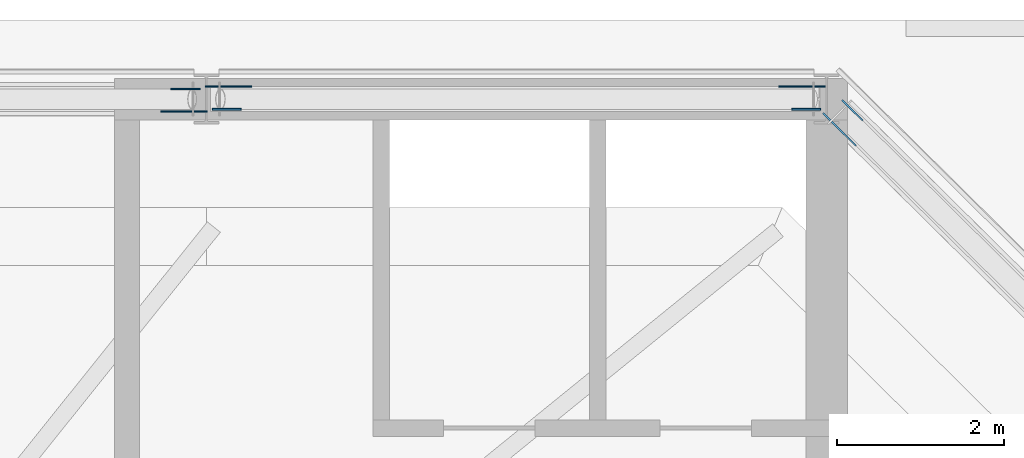
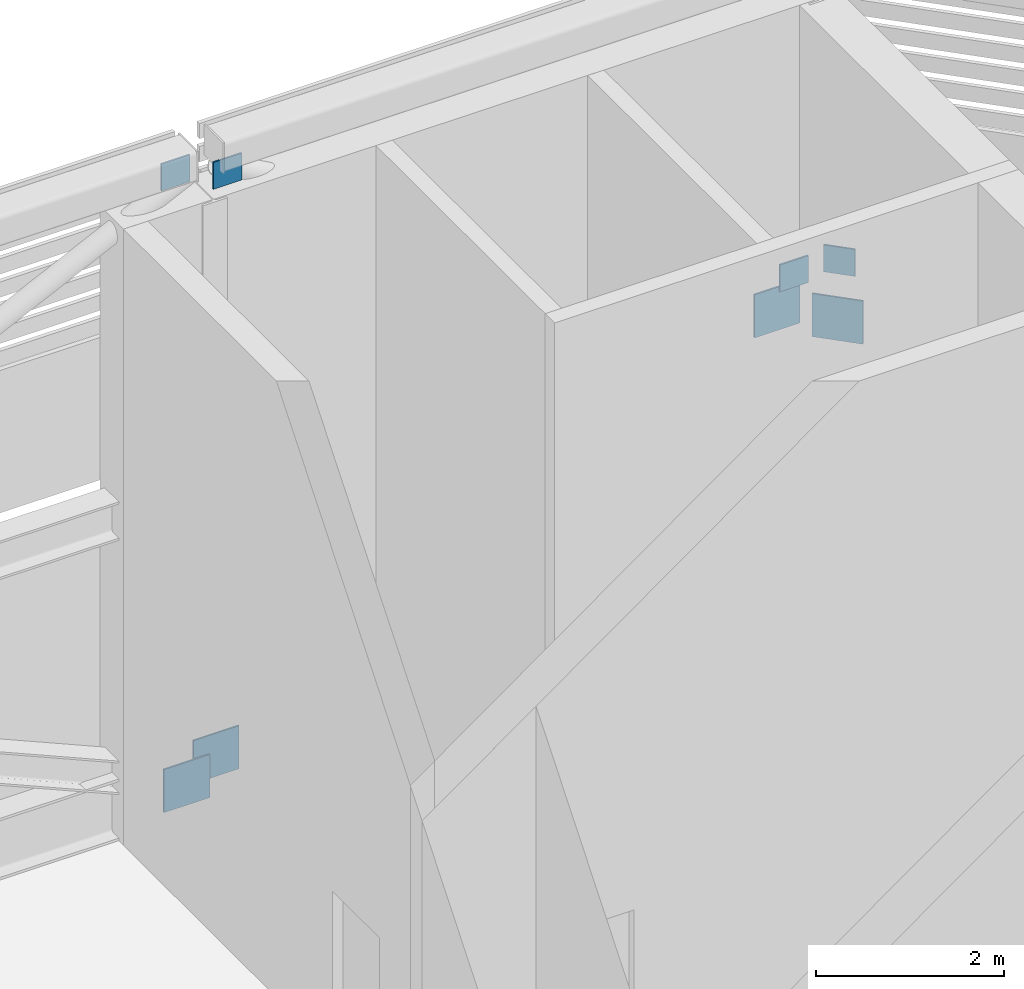
# One storey, part 20 of 22: 8 discrete accessories.
"""IFC4 building model written with IfcOpenShell, lengths in metres."""

from ifc_helpers import new_model, si_unit, direction, frame, origin, origin_2d, place, context, subcontext, project, spatial, rectangle, extrude, element, save


model = new_model("IFC4")

# Units and contexts
model_context = context("Model", 3, precision=1e-05, world=origin(), true_north=direction((0.0, 1.0)))
body_context = subcontext(model_context, "Body", "Model", "MODEL_VIEW")
ifc_project = project(units=[si_unit("LENGTHUNIT", "METRE"), si_unit("AREAUNIT", "SQUARE_METRE"), si_unit("VOLUMEUNIT", "CUBIC_METRE"), si_unit("PLANEANGLEUNIT", "RADIAN"), si_unit("MASSUNIT", "GRAM", prefix="KILO")], contexts=[model_context])

# Site, building, storey
site_placement = place(None, origin())
site = spatial("IfcSite", under=ifc_project, at=site_placement, CompositionType="ELEMENT")
building_placement = place(site_placement, origin())
building = spatial("IfcBuilding", under=site, at=building_placement, Name="Saffron Gate Tower", CompositionType="ELEMENT")
storey_placement = place(building_placement, frame((0.0, 0.0, 314.85009765625)))
storey = spatial("IfcBuildingStorey", under=building, at=storey_placement, Name="Roof crown", CompositionType="ELEMENT", Elevation=314.85009765625)

# Discrete accessories
discrete_accessory_1_placement = place(storey_placement, frame((107.8046875, 74.285888671875, 3.582763671875), z_axis=(0.0, 0.0, 1.0), x_axis=(-0.710901361809, 0.703291727364, 0.0)))
element("IfcDiscreteAccessory", 1, at=discrete_accessory_1_placement, inside=storey, Name="GUSSET PLATE", ObjectType="GUSSET PLATE", PredefinedType="USERDEFINED", context=body_context, shape_type="SweptSolid", body=[
    extrude(rectangle(XDim=0.56005859375, YDim=0.02001953125, at=origin_2d()), origin(), (0.0, 0.0, 1.0), 0.56005859375),
])
discrete_accessory_2_placement = place(storey_placement, frame((107.959716796875, 74.515380859375, 4.250244140625), z_axis=(0.0, 0.0, 1.0), x_axis=(0.710902589283, -0.703290486606, 0.0)))
element("IfcDiscreteAccessory", 2, at=discrete_accessory_2_placement, inside=storey, Name="GUSSET PLATE", ObjectType="GUSSET PLATE", PredefinedType="USERDEFINED", context=body_context, shape_type="SweptSolid", body=[
    extrude(rectangle(XDim=0.35009765625, YDim=0.02001953125, at=origin_2d()), origin(), (0.0, 0.0, 1.0), 0.35009765625),
])
for number, where, z_axis, x_axis, name in (
    (3, (100.4658203125, 74.800048828125, 0.181396484375), (0.0, 0.0, 1.0), (1.0, 0.0, 0.0), "GUSSET PLATE"),
    (4, (107.354248046875, 74.800048828125, 3.558349609375), (0.0, 0.0, 1.0), (1.0, 0.0, 0.0), "GUSSET PLATE"),
):
    element("IfcDiscreteAccessory", number, at=place(storey_placement, frame(where, z_axis=z_axis, x_axis=x_axis)), inside=storey, Name=name, ObjectType="GUSSET PLATE", PredefinedType="USERDEFINED", context=body_context, shape_type="SweptSolid", body=[
        extrude(rectangle(XDim=0.56005859375, YDim=0.02001953125, at=origin_2d()), origin(), (0.0, 0.0, 1.0), 0.56005859375),
    ])
for number, where, z_axis, x_axis, name in (
    (5, (107.403076171875, 74.52783203125, 4.2666015625), (0.0, 0.0, 1.0), (-1.0, 0.0, 0.0), "GUSSET PLATE"),
    (6, (100.447021484375, 74.52783203125, 8.033203125), (0.0, 0.0, 1.0), (-1.0, 0.0, 0.0), "GUSSET PLATE"),
):
    element("IfcDiscreteAccessory", number, at=place(storey_placement, frame(where, z_axis=z_axis, x_axis=x_axis)), inside=storey, Name=name, ObjectType="GUSSET PLATE", PredefinedType="USERDEFINED", context=body_context, shape_type="SweptSolid", body=[
        extrude(rectangle(XDim=0.35009765625, YDim=0.02001953125, at=origin_2d()), origin(), (0.0, 0.0, 1.0), 0.35009765625),
    ])
discrete_accessory_3_placement = place(storey_placement, frame((99.931396484375, 74.5, 0.175537109375), z_axis=(0.0, 0.0, 1.0), x_axis=(-1.0, 0.0, 0.0)))
element("IfcDiscreteAccessory", 7, at=discrete_accessory_3_placement, inside=storey, Name="GUSSET PLATE", ObjectType="GUSSET PLATE", PredefinedType="USERDEFINED", context=body_context, shape_type="SweptSolid", body=[
    extrude(rectangle(XDim=0.56005859375, YDim=0.02001953125, at=origin_2d()), origin(), (0.0, 0.0, 1.0), 0.56005859375),
])
discrete_accessory_4_placement = place(storey_placement, frame((99.950927734375, 74.772216796875, 8.037109375), z_axis=(0.0, 0.0, 1.0), x_axis=(1.0, 0.0, 0.0)))
element("IfcDiscreteAccessory", 8, at=discrete_accessory_4_placement, inside=storey, Name="GUSSET PLATE", ObjectType="GUSSET PLATE", PredefinedType="USERDEFINED", context=body_context, shape_type="SweptSolid", body=[
    extrude(rectangle(XDim=0.35009765625, YDim=0.02001953125, at=origin_2d()), origin(), (0.0, 0.0, 1.0), 0.35009765625),
])

save(model, "model.ifc")
